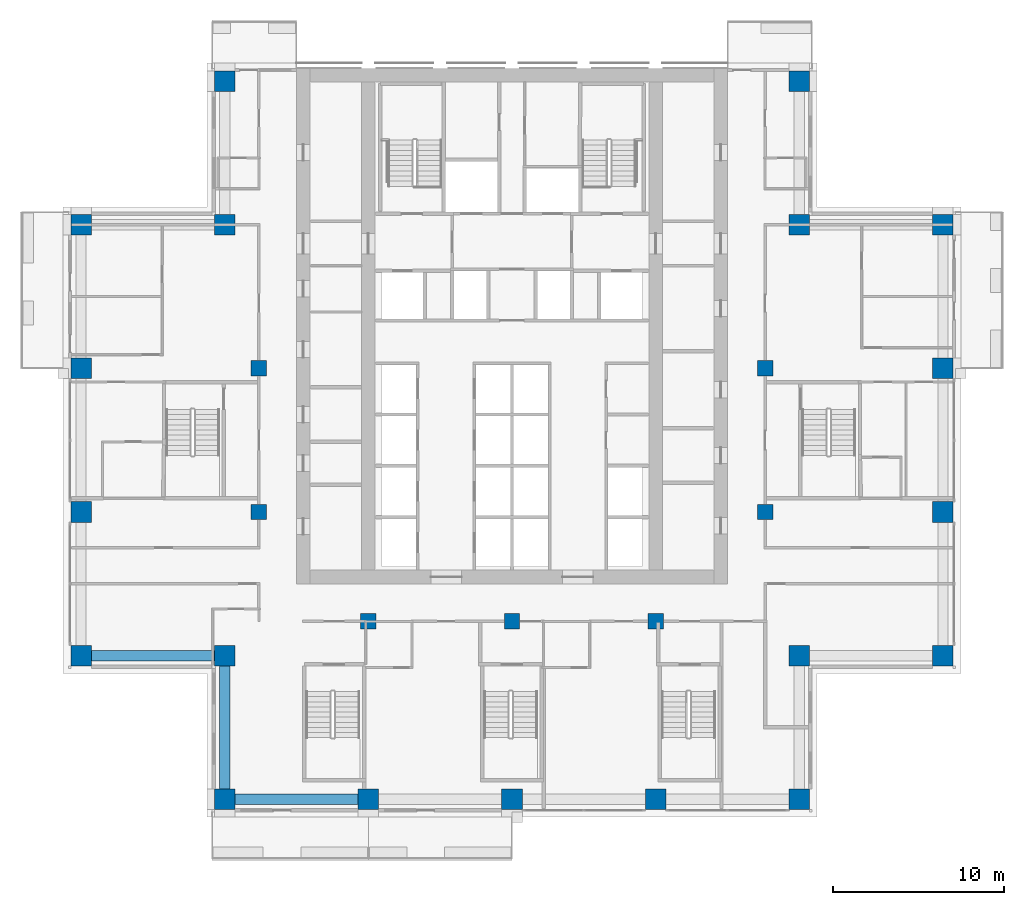
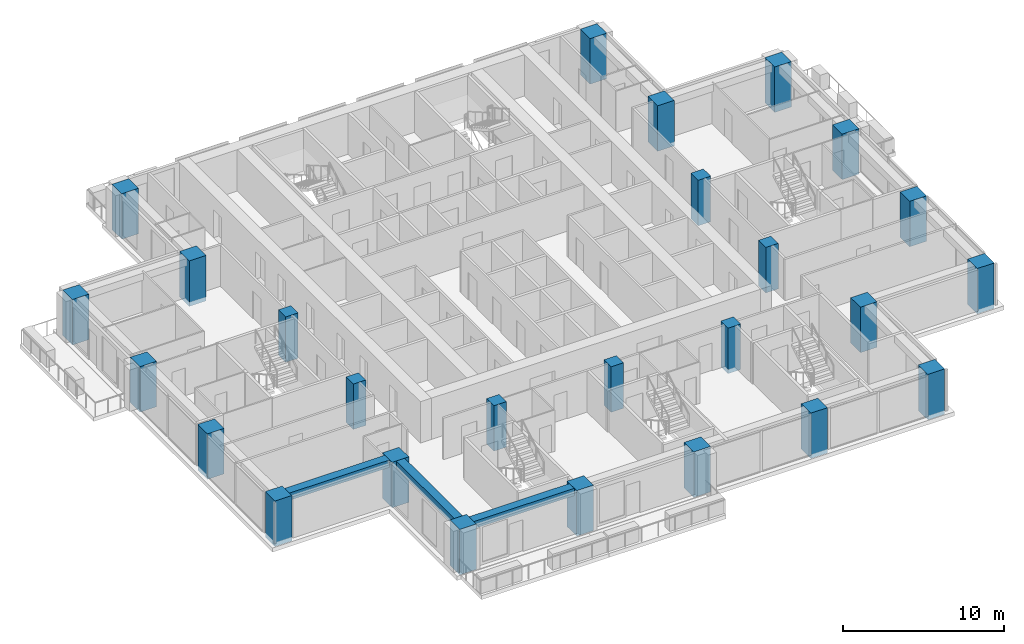
# One storey, part 1 of 16: 26 columns, 3 beams.
"""IFC4 building model written with IfcOpenShell, lengths in metres."""

from ifc_helpers import new_model, si_unit, direction, frame, origin, origin_2d, place, context, subcontext, project, spatial, rectangle, extrude, material, material_profile, profile_set, type_object, element, save


model = new_model("IFC4")

# Units and contexts
model_context = context("Model", 3, precision=1e-05, world=origin(), true_north=direction((0.0, 1.0)))
body_context = subcontext(model_context, "Body", "Model", "MODEL_VIEW")
ifc_project = project(units=[si_unit("LENGTHUNIT", "METRE"), si_unit("AREAUNIT", "SQUARE_METRE"), si_unit("VOLUMEUNIT", "CUBIC_METRE"), si_unit("PLANEANGLEUNIT", "RADIAN"), si_unit("MASSUNIT", "GRAM", prefix="KILO")], contexts=[model_context])

# Site, building, storey
site_placement = place(None, origin())
site = spatial("IfcSite", under=ifc_project, at=site_placement, CompositionType="ELEMENT")
building_placement = place(site_placement, origin())
building = spatial("IfcBuilding", under=site, at=building_placement, Name="Vermilion Ogive Tower", CompositionType="ELEMENT")
storey_placement = place(building_placement, frame((0.0, 0.0, 114.89990234375)))
storey = spatial("IfcBuildingStorey", under=building, at=storey_placement, Name="L29", CompositionType="ELEMENT", Elevation=114.89990234375)

# Columns
ifc_material_1 = material(Name="Concrete B80", Category="concrete")
ifc_material_profile_1 = material_profile(ifc_material_1, rectangle(XDim=1.199951171875, YDim=1.199951171875, at=origin_2d()), Name="1200 x 1200")
ifc_profile_set_1 = profile_set([ifc_material_profile_1], Name="Concrete B80")
column_type_1 = type_object("IfcColumnType", Name="Perimeter column 1200 x 1200 B80", PredefinedType="COLUMN", material=ifc_profile_set_1)
for number, where, z_axis, x_axis, name in (
    (1, (-16.800048828125, -21.0, -0.31982421875), (0.0, 0.0, 1.0), (1.0, 0.0, 0.0), "COL-L29-P-0168-210"),
    (2, (-8.39990234375, -21.0, -0.31982421875), (0.0, 0.0, 1.0), (1.0, 0.0, 0.0), "COL-L29-P-0084-210"),
    (3, (0.0, -21.0, -0.31982421875), (0.0, 0.0, 1.0), (1.0, 0.0, 0.0), "COL-L29-P+0000-210"),
    (4, (8.39990234375, -21.0, -0.31982421875), (0.0, 0.0, 1.0), (1.0, 0.0, 0.0), "COL-L29-P+0084-210"),
    (5, (16.800048828125, -21.0, -0.31982421875), (0.0, 0.0, 1.0), (1.0, 0.0, 0.0), "COL-L29-P+0168-210"),
    (6, (-25.199951171875, -12.60009765625, -0.31982421875), (0.0, 0.0, 1.0), (1.0, 0.0, 0.0), "COL-L29-P-0252-126"),
    (7, (-16.800048828125, -12.60009765625, -0.31982421875), (0.0, 0.0, 1.0), (1.0, 0.0, 0.0), "COL-L29-P-0168-126"),
    (8, (16.800048828125, -12.60009765625, -0.31982421875), (0.0, 0.0, 1.0), (1.0, 0.0, 0.0), "COL-L29-P+0168-126"),
    (9, (25.199951171875, -12.60009765625, -0.31982421875), (0.0, 0.0, 1.0), (1.0, 0.0, 0.0), "COL-L29-P+0252-126"),
    (10, (-25.199951171875, -4.199951171875, -0.31982421875), (0.0, 0.0, 1.0), (1.0, 0.0, 0.0), "COL-L29-P-0252-042"),
    (11, (25.199951171875, -4.199951171875, -0.31982421875), (0.0, 0.0, 1.0), (1.0, 0.0, 0.0), "COL-L29-P+0252-042"),
    (12, (-25.199951171875, 4.199951171875, -0.31982421875), (0.0, 0.0, 1.0), (1.0, 0.0, 0.0), "COL-L29-P-0252+042"),
    (13, (25.199951171875, 4.199951171875, -0.31982421875), (0.0, 0.0, 1.0), (1.0, 0.0, 0.0), "COL-L29-P+0252+042"),
    (14, (-25.199951171875, 12.60009765625, -0.31982421875), (0.0, 0.0, 1.0), (1.0, 0.0, 0.0), "COL-L29-P-0252+126"),
    (15, (-16.800048828125, 12.60009765625, -0.31982421875), (0.0, 0.0, 1.0), (1.0, 0.0, 0.0), "COL-L29-P-0168+126"),
    (16, (16.800048828125, 12.60009765625, -0.31982421875), (0.0, 0.0, 1.0), (1.0, 0.0, 0.0), "COL-L29-P+0168+126"),
    (17, (25.199951171875, 12.60009765625, -0.31982421875), (0.0, 0.0, 1.0), (1.0, 0.0, 0.0), "COL-L29-P+0252+126"),
    (18, (-16.800048828125, 21.0, -0.31982421875), (0.0, 0.0, 1.0), (1.0, 0.0, 0.0), "COL-L29-P-0168+210"),
    (19, (16.800048828125, 21.0, -0.31982421875), (0.0, 0.0, 1.0), (1.0, 0.0, 0.0), "COL-L29-P+0168+210"),
):
    element("IfcColumn", number, at=place(storey_placement, frame(where, z_axis=z_axis, x_axis=x_axis)), inside=storey, type_object=column_type_1, Name=name, PredefinedType="COLUMN", context=body_context, shape_type="SweptSolid", body=[
        extrude(rectangle(XDim=1.199951171875, YDim=1.199951171875, at=origin_2d()), origin(), (0.0, 0.0, 1.0), 3.449951171875),
    ])
ifc_material_2 = material(Name="Concrete B80", Category="concrete")
ifc_material_profile_2 = material_profile(ifc_material_2, rectangle(XDim=0.89990234375, YDim=0.89990234375, at=origin_2d()), Name="900 x 900")
ifc_profile_set_2 = profile_set([ifc_material_profile_2], Name="Concrete B80")
column_type_2 = type_object("IfcColumnType", Name="Ring column 900 x 900 B80", PredefinedType="COLUMN", material=ifc_profile_set_2)
for number, where, z_axis, x_axis, name in (
    (20, (-8.39990234375, -10.60009765625, -0.31982421875), (0.0, 0.0, 1.0), (1.0, 0.0, 0.0), "COL-L29-R-0084-106"),
    (21, (0.0, -10.60009765625, -0.31982421875), (0.0, 0.0, 1.0), (1.0, 0.0, 0.0), "COL-L29-R+0000-106"),
    (22, (8.39990234375, -10.60009765625, -0.31982421875), (0.0, 0.0, 1.0), (1.0, 0.0, 0.0), "COL-L29-R+0084-106"),
    (23, (-14.800048828125, -4.199951171875, -0.31982421875), (0.0, 0.0, 1.0), (1.0, 0.0, 0.0), "COL-L29-R-0148-042"),
    (24, (14.800048828125, -4.199951171875, -0.31982421875), (0.0, 0.0, 1.0), (1.0, 0.0, 0.0), "COL-L29-R+0148-042"),
    (25, (-14.800048828125, 4.199951171875, -0.31982421875), (0.0, 0.0, 1.0), (1.0, 0.0, 0.0), "COL-L29-R-0148+042"),
    (26, (14.800048828125, 4.199951171875, -0.31982421875), (0.0, 0.0, 1.0), (1.0, 0.0, 0.0), "COL-L29-R+0148+042"),
):
    element("IfcColumn", number, at=place(storey_placement, frame(where, z_axis=z_axis, x_axis=x_axis)), inside=storey, type_object=column_type_2, Name=name, PredefinedType="COLUMN", context=body_context, shape_type="SweptSolid", body=[
        extrude(rectangle(XDim=0.89990234375, YDim=0.89990234375, at=origin_2d()), origin(), (0.0, 0.0, 1.0), 3.449951171875),
    ])

# Beams
ifc_material_3 = material(Name="Concrete B45", Category="concrete")
ifc_material_profile_3 = material_profile(ifc_material_3, rectangle(XDim=0.60009765625, YDim=0.550048828125, at=origin_2d()), Name="600 x 550")
ifc_profile_set_3 = profile_set([ifc_material_profile_3], Name="Concrete B45")
beam_type = type_object("IfcBeamType", Name="Edge beam 600 x 550 B45", PredefinedType="BEAM", material=ifc_profile_set_3)
beam_1_placement = place(storey_placement, frame((-16.199951171875, -21.0, 2.85498046875), z_axis=(1.0, 0.0, 0.0), x_axis=(0.0, 1.0, 0.0)))
element("IfcBeam", 27, at=beam_1_placement, inside=storey, type_object=beam_type, Name="L29-EB-1", PredefinedType="BEAM", context=body_context, shape_type="SweptSolid", body=[
    extrude(rectangle(XDim=0.60009765625, YDim=0.550048828125, at=origin_2d()), origin(), (0.0, 0.0, 1.0), 7.199951171875),
])
beam_2_placement = place(storey_placement, frame((-24.60009765625, -12.60009765625, 2.85498046875), z_axis=(1.0, 0.0, 0.0), x_axis=(0.0, 1.0, 0.0)))
element("IfcBeam", 28, at=beam_2_placement, inside=storey, type_object=beam_type, Name="L29-EB-17", PredefinedType="BEAM", context=body_context, shape_type="SweptSolid", body=[
    extrude(rectangle(XDim=0.60009765625, YDim=0.550048828125, at=origin_2d()), origin(), (0.0, 0.0, 1.0), 7.2001953125),
])
beam_3_placement = place(storey_placement, frame((-16.800048828125, -13.199951171875, 2.85498046875), z_axis=(0.0, -1.0, 0.0), x_axis=(1.0, 0.0, 0.0)))
element("IfcBeam", 29, at=beam_3_placement, inside=storey, type_object=beam_type, Name="L29-EB-18", PredefinedType="BEAM", context=body_context, shape_type="SweptSolid", body=[
    extrude(rectangle(XDim=0.60009765625, YDim=0.550048828125, at=origin_2d()), origin(), (0.0, 0.0, 1.0), 7.199951171875),
])

save(model, "model.ifc")
